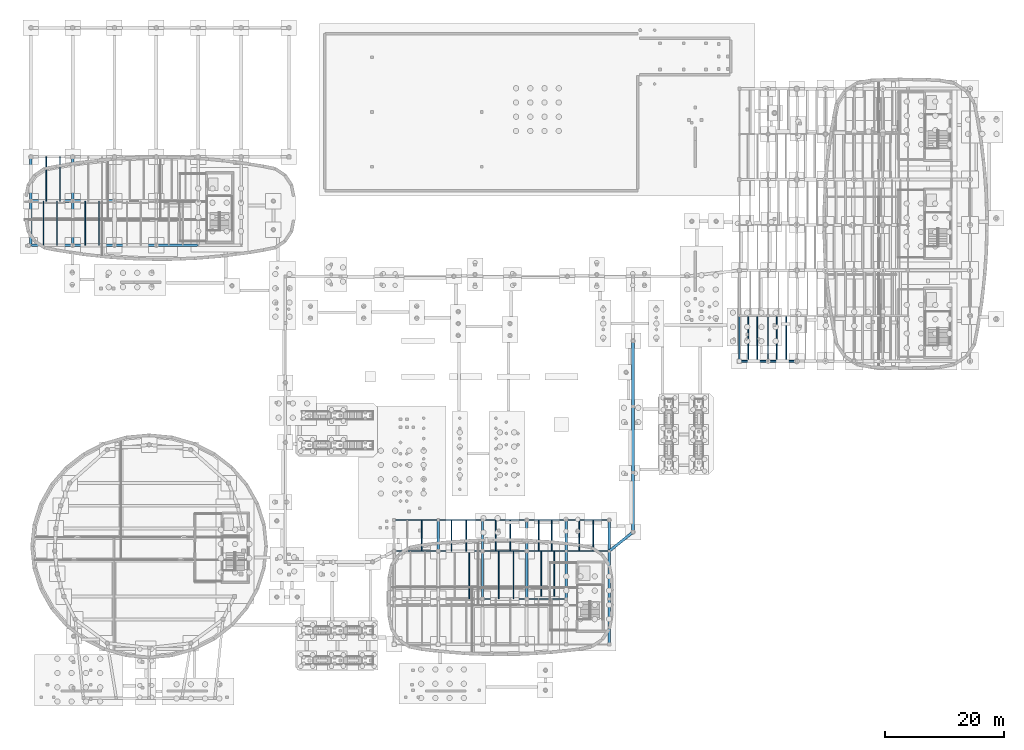
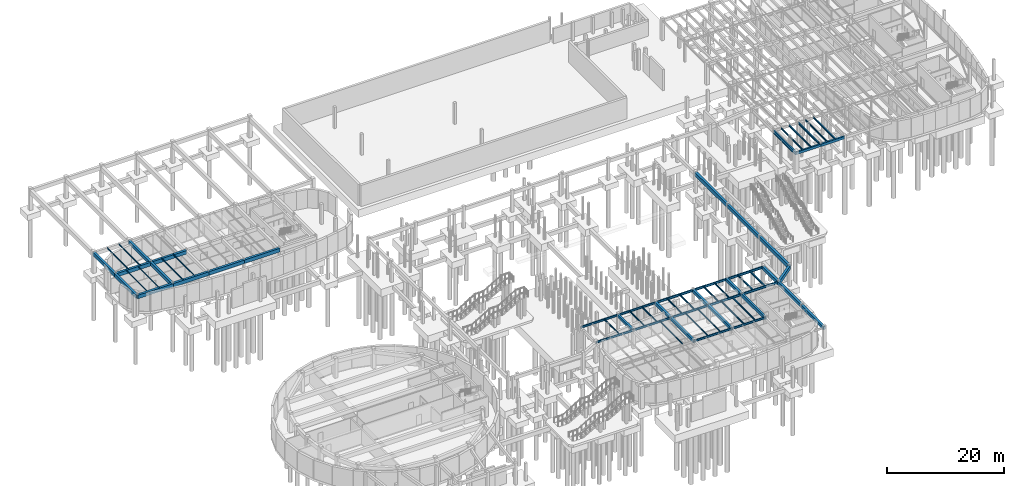
# One storey, part 27 of 45: 64 beams.
"""IFC4 building model written with IfcOpenShell, lengths in metres."""

from ifc_helpers import new_model, si_unit, direction, frame, origin, origin_2d, place, context, subcontext, project, spatial, rectangle, i_section, extrude, material, material_profile, profile_set, type_object, element, save


model = new_model("IFC4")

# Units and contexts
model_context = context("Model", 3, precision=1e-05, world=origin(), true_north=direction((0.0, 1.0)))
body_context = subcontext(model_context, "Body", "Model", "MODEL_VIEW")
ifc_project = project(units=[si_unit("LENGTHUNIT", "METRE"), si_unit("AREAUNIT", "SQUARE_METRE"), si_unit("VOLUMEUNIT", "CUBIC_METRE"), si_unit("PLANEANGLEUNIT", "RADIAN"), si_unit("MASSUNIT", "GRAM", prefix="KILO")], contexts=[model_context])

# Site, building, storey
site_placement = place(None, origin())
site = spatial("IfcSite", under=ifc_project, at=site_placement, CompositionType="ELEMENT")
building_placement = place(site_placement, origin())
building = spatial("IfcBuilding", under=site, at=building_placement, Name="Corveleigh Park Community Centre", CompositionType="ELEMENT")
storey_placement = place(building_placement, frame((0.0, 0.0, -4.199951171875)))
storey = spatial("IfcBuildingStorey", under=building, at=storey_placement, Name="B1", CompositionType="ELEMENT", Elevation=-4.199951171875)

# Beams
ifc_material_1 = material(Name="Concrete C40/50", Category="concrete")
ifc_material_profile_1 = material_profile(ifc_material_1, rectangle(XDim=0.300048828125, YDim=0.5, at=origin_2d()), Name="RC-300x500", Category="concrete")
ifc_profile_set_1 = profile_set([ifc_material_profile_1], Name="Concrete C40/50")
beam_type_1 = type_object("IfcBeamType", Name="BM-RC-300x500", PredefinedType="BEAM", material=ifc_profile_set_1)
beam_1_placement = place(storey_placement, frame((129.804931640625, 58.60009765625, 3.6318359375), z_axis=(1.0, 0.0, 0.0), x_axis=(0.0, 1.0, 0.0)))
element("IfcBeam", 1, at=beam_1_placement, inside=storey, type_object=beam_type_1, Name="V4 Girder X", PredefinedType="BEAM", context=body_context, shape_type="SweptSolid", body=[
    extrude(rectangle(XDim=0.300048828125, YDim=0.5, at=origin_2d()), origin(), (0.0, 0.0, 1.0), 4.7900390625),
])
ifc_material_profile_2 = material_profile(ifc_material_1, rectangle(XDim=0.324951171875, YDim=0.52490234375, at=origin_2d()), Name="RC-325x525", Category="concrete")
ifc_profile_set_2 = profile_set([ifc_material_profile_2], Name="Concrete C40/50")
beam_type_2 = type_object("IfcBeamType", Name="BM-RC-325x525", PredefinedType="BEAM", material=ifc_profile_set_2)
beam_2_placement = place(storey_placement, frame((134.60498046875, 58.60009765625, 3.619384765625), z_axis=(1.0, 0.0, 0.0), x_axis=(0.0, 1.0, 0.0)))
element("IfcBeam", 2, at=beam_2_placement, inside=storey, type_object=beam_type_2, Name="V4 Girder X", PredefinedType="BEAM", context=body_context, shape_type="SweptSolid", body=[
    extrude(rectangle(XDim=0.324951171875, YDim=0.52490234375, at=origin_2d()), origin(), (0.0, 0.0, 1.0), 4.7900390625),
])
ifc_material_profile_3 = material_profile(ifc_material_1, rectangle(XDim=0.375, YDim=0.574951171875, at=origin_2d()), Name="RC-375x575", Category="concrete")
ifc_profile_set_3 = profile_set([ifc_material_profile_3], Name="Concrete C40/50")
beam_type_3 = type_object("IfcBeamType", Name="BM-RC-375x575", PredefinedType="BEAM", material=ifc_profile_set_3)
beam_3_placement = place(storey_placement, frame((79.39990234375, 26.804931640625, 3.609375), z_axis=(0.0, 1.0, 0.0), x_axis=(-1.0, 0.0, 0.0)))
element("IfcBeam", 3, at=beam_3_placement, inside=storey, type_object=beam_type_3, Name="V3 Girder Y", PredefinedType="BEAM", context=body_context, shape_type="SweptSolid", body=[
    extrude(rectangle(XDim=0.375, YDim=0.574951171875, at=origin_2d()), origin(), (0.0, 0.0, 1.0), 5.190185546875),
])
beam_4_placement = place(storey_placement, frame((86.800048828125, 18.804931640625, 3.609375), z_axis=(0.0, 1.0, 0.0), x_axis=(-1.0, 0.0, 0.0)))
element("IfcBeam", 4, at=beam_4_placement, inside=storey, type_object=beam_type_3, Name="V3 Girder Y", PredefinedType="BEAM", context=body_context, shape_type="SweptSolid", body=[
    extrude(rectangle(XDim=0.375, YDim=0.574951171875, at=origin_2d()), origin(), (0.0, 0.0, 1.0), 7.989990234375),
])
ifc_material_profile_4 = material_profile(ifc_material_1, rectangle(XDim=0.39990234375, YDim=0.60009765625, at=origin_2d()), Name="RC-400x600", Category="concrete")
ifc_profile_set_4 = profile_set([ifc_material_profile_4], Name="Concrete C40/50")
beam_type_4 = type_object("IfcBeamType", Name="BM-RC-400x600", PredefinedType="BEAM", material=ifc_profile_set_4)
beam_5_placement = place(storey_placement, frame((86.800048828125, 26.804931640625, 3.596923828125), z_axis=(0.0, 1.0, 0.0), x_axis=(-1.0, 0.0, 0.0)))
element("IfcBeam", 5, at=beam_5_placement, inside=storey, type_object=beam_type_4, Name="V3 Girder Y", PredefinedType="BEAM", context=body_context, shape_type="SweptSolid", body=[
    extrude(rectangle(XDim=0.39990234375, YDim=0.60009765625, at=origin_2d()), origin(), (0.0, 0.0, 1.0), 5.190185546875),
])
beam_6_placement = place(storey_placement, frame((94.199951171875, 18.804931640625, 3.596923828125), z_axis=(0.0, 1.0, 0.0), x_axis=(-1.0, 0.0, 0.0)))
element("IfcBeam", 6, at=beam_6_placement, inside=storey, type_object=beam_type_4, Name="V3 Girder Y", PredefinedType="BEAM", context=body_context, shape_type="SweptSolid", body=[
    extrude(rectangle(XDim=0.39990234375, YDim=0.60009765625, at=origin_2d()), origin(), (0.0, 0.0, 1.0), 7.989990234375),
])
ifc_material_profile_5 = material_profile(ifc_material_1, rectangle(XDim=0.39990234375, YDim=0.64990234375, at=origin_2d()), Name="RC-400x650", Category="concrete")
ifc_profile_set_5 = profile_set([ifc_material_profile_5], Name="Concrete C40/50")
beam_type_5 = type_object("IfcBeamType", Name="BM-RC-400x650", PredefinedType="BEAM", material=ifc_profile_set_5)
beam_7_placement = place(storey_placement, frame((94.199951171875, 26.804931640625, 3.572021484375), z_axis=(0.0, 1.0, 0.0), x_axis=(-1.0, 0.0, 0.0)))
element("IfcBeam", 7, at=beam_7_placement, inside=storey, type_object=beam_type_5, Name="V3 Girder Y", PredefinedType="BEAM", context=body_context, shape_type="SweptSolid", body=[
    extrude(rectangle(XDim=0.39990234375, YDim=0.64990234375, at=origin_2d()), origin(), (0.0, 0.0, 1.0), 5.190185546875),
])
beam_8_placement = place(storey_placement, frame((100.800048828125, 18.804931640625, 3.572021484375), z_axis=(0.0, 1.0, 0.0), x_axis=(-1.0, 0.0, 0.0)))
element("IfcBeam", 8, at=beam_8_placement, inside=storey, type_object=beam_type_5, Name="V3 Girder Y", PredefinedType="BEAM", context=body_context, shape_type="SweptSolid", body=[
    extrude(rectangle(XDim=0.39990234375, YDim=0.64990234375, at=origin_2d()), origin(), (0.0, 0.0, 1.0), 7.989990234375),
])
beam_9_placement = place(storey_placement, frame((108.0, 11.205078125, 3.572021484375), z_axis=(0.0, 1.0, 0.0), x_axis=(-1.0, 0.0, 0.0)))
element("IfcBeam", 9, at=beam_9_placement, inside=storey, type_object=beam_type_5, Name="V3 Girder Y", PredefinedType="BEAM", context=body_context, shape_type="SweptSolid", body=[
    extrude(rectangle(XDim=0.39990234375, YDim=0.64990234375, at=origin_2d()), origin(), (0.0, 0.0, 1.0), 7.58984375),
])
ifc_material_profile_6 = material_profile(ifc_material_1, rectangle(XDim=0.425048828125, YDim=0.675048828125, at=origin_2d()), Name="RC-425x675", Category="concrete")
ifc_profile_set_6 = profile_set([ifc_material_profile_6], Name="Concrete C40/50")
beam_type_6 = type_object("IfcBeamType", Name="BM-RC-425x675", PredefinedType="BEAM", material=ifc_profile_set_6)
beam_10_placement = place(storey_placement, frame((100.800048828125, 26.804931640625, 3.5595703125), z_axis=(0.0, 1.0, 0.0), x_axis=(-1.0, 0.0, 0.0)))
element("IfcBeam", 10, at=beam_10_placement, inside=storey, type_object=beam_type_6, Name="V3 Girder Y", PredefinedType="BEAM", context=body_context, shape_type="SweptSolid", body=[
    extrude(rectangle(XDim=0.425048828125, YDim=0.675048828125, at=origin_2d()), origin(), (0.0, 0.0, 1.0), 5.190185546875),
])
beam_11_placement = place(storey_placement, frame((108.0, 18.804931640625, 3.5595703125), z_axis=(0.0, 1.0, 0.0), x_axis=(-1.0, 0.0, 0.0)))
element("IfcBeam", 11, at=beam_11_placement, inside=storey, type_object=beam_type_6, Name="V3 Girder Y", PredefinedType="BEAM", context=body_context, shape_type="SweptSolid", body=[
    extrude(rectangle(XDim=0.425048828125, YDim=0.675048828125, at=origin_2d()), origin(), (0.0, 0.0, 1.0), 7.989990234375),
])
ifc_material_profile_7 = material_profile(ifc_material_1, rectangle(XDim=0.449951171875, YDim=0.699951171875, at=origin_2d()), Name="RC-450x700", Category="concrete")
ifc_profile_set_7 = profile_set([ifc_material_profile_7], Name="Concrete C40/50")
beam_type_7 = type_object("IfcBeamType", Name="BM-RC-450x700", PredefinedType="BEAM", material=ifc_profile_set_7)
beam_12_placement = place(storey_placement, frame((11.199951171875, 78.0048828125, 3.531982421875), z_axis=(0.0, 1.0, 0.0), x_axis=(-1.0, 0.0, 0.0)))
element("IfcBeam", 12, at=beam_12_placement, inside=storey, type_object=beam_type_7, Name="V2 Studio Girder Y", PredefinedType="BEAM", context=body_context, shape_type="SweptSolid", body=[
    extrude(rectangle(XDim=0.449951171875, YDim=0.699951171875, at=origin_2d()), origin(), (0.0, 0.0, 1.0), 7.39013671875),
])
beam_13_placement = place(storey_placement, frame((11.199951171875, 85.405029296875, 3.531982421875), z_axis=(0.0, 1.0, 0.0), x_axis=(-1.0, 0.0, 0.0)))
element("IfcBeam", 13, at=beam_13_placement, inside=storey, type_object=beam_type_7, Name="V2 Studio Girder Y", PredefinedType="BEAM", context=body_context, shape_type="SweptSolid", body=[
    extrude(rectangle(XDim=0.449951171875, YDim=0.699951171875, at=origin_2d()), origin(), (0.0, 0.0, 1.0), 7.389892578125),
])
beam_14_placement = place(storey_placement, frame((18.199951171875, 78.0048828125, 3.531982421875), z_axis=(0.0, 1.0, 0.0), x_axis=(-1.0, 0.0, 0.0)))
element("IfcBeam", 14, at=beam_14_placement, inside=storey, type_object=beam_type_7, Name="V2 Studio Girder Y", PredefinedType="BEAM", context=body_context, shape_type="SweptSolid", body=[
    extrude(rectangle(XDim=0.449951171875, YDim=0.699951171875, at=origin_2d()), origin(), (0.0, 0.0, 1.0), 7.39013671875),
])
beam_15_placement = place(storey_placement, frame((18.199951171875, 85.405029296875, 3.531982421875), z_axis=(0.0, 1.0, 0.0), x_axis=(-1.0, 0.0, 0.0)))
element("IfcBeam", 15, at=beam_15_placement, inside=storey, type_object=beam_type_7, Name="V2 Studio Girder Y", PredefinedType="BEAM", context=body_context, shape_type="SweptSolid", body=[
    extrude(rectangle(XDim=0.449951171875, YDim=0.699951171875, at=origin_2d()), origin(), (0.0, 0.0, 1.0), 7.389892578125),
])
beam_16_placement = place(storey_placement, frame((108.0, 26.804931640625, 3.546875), z_axis=(0.0, 1.0, 0.0), x_axis=(-1.0, 0.0, 0.0)))
element("IfcBeam", 16, at=beam_16_placement, inside=storey, type_object=beam_type_7, Name="V3 Girder Y", PredefinedType="BEAM", context=body_context, shape_type="SweptSolid", body=[
    extrude(rectangle(XDim=0.449951171875, YDim=0.699951171875, at=origin_2d()), origin(), (0.0, 0.0, 1.0), 5.190185546875),
])
ifc_material_profile_8 = material_profile(ifc_material_1, rectangle(XDim=0.449951171875, YDim=0.75, at=origin_2d()), Name="RC-450x750", Category="concrete")
ifc_profile_set_8 = profile_set([ifc_material_profile_8], Name="Concrete C40/50")
beam_type_8 = type_object("IfcBeamType", Name="BM-RC-450x750", PredefinedType="BEAM", material=ifc_profile_set_8)
for number, where, z_axis, x_axis, name in (
    (17, (11.205078125, 78.0, 3.5068359375), (1.0, 0.0, 0.0), (0.0, 1.0, 0.0), "V2 Studio Girder X"),
    (18, (18.205078125, 78.0, 3.5068359375), (1.0, 0.0, 0.0), (0.0, 1.0, 0.0), "V2 Studio Girder X"),
    (19, (25.205078125, 78.0, 3.5068359375), (1.0, 0.0, 0.0), (0.0, 1.0, 0.0), "V2 Studio Girder X"),
    (20, (32.205078125, 78.0, 3.5068359375), (1.0, 0.0, 0.0), (0.0, 1.0, 0.0), "V2 Studio Girder X"),
    (21, (11.205078125, 85.39990234375, 3.5068359375), (1.0, 0.0, 0.0), (0.0, 1.0, 0.0), "V2 Studio Girder X"),
    (22, (18.205078125, 85.39990234375, 3.5068359375), (1.0, 0.0, 0.0), (0.0, 1.0, 0.0), "V2 Studio Girder X"),
):
    element("IfcBeam", number, at=place(storey_placement, frame(where, z_axis=z_axis, x_axis=x_axis)), inside=storey, type_object=beam_type_8, Name=name, PredefinedType="BEAM", context=body_context, shape_type="SweptSolid", body=[
        extrude(rectangle(XDim=0.449951171875, YDim=0.75, at=origin_2d()), origin(), (0.0, 0.0, 1.0), 6.989990234375),
    ])
for number, where, z_axis, x_axis, name in (
    (23, (112.0, 61.9951171875, 3.536865234375), (0.0, -1.0, 0.0), (1.0, 0.0, 0.0), "Campus Substructure Tie Girder"),
    (24, (112.0, 50.9951171875, 3.536865234375), (0.0, -1.0, 0.0), (1.0, 0.0, 0.0), "Campus Substructure Tie Girder"),
):
    element("IfcBeam", number, at=place(storey_placement, frame(where, z_axis=z_axis, x_axis=x_axis)), inside=storey, type_object=beam_type_8, Name=name, PredefinedType="BEAM", context=body_context, shape_type="SweptSolid", body=[
        extrude(rectangle(XDim=0.449951171875, YDim=0.75, at=origin_2d()), origin(), (0.0, 0.0, 1.0), 10.990234375),
    ])
beam_17_placement = place(storey_placement, frame((112.0, 39.9951171875, 3.536865234375), z_axis=(0.0, -1.0, 0.0), x_axis=(1.0, 0.0, 0.0)))
element("IfcBeam", 25, at=beam_17_placement, inside=storey, type_object=beam_type_8, Name="Campus Substructure Tie Girder", PredefinedType="BEAM", context=body_context, shape_type="SweptSolid", body=[
    extrude(rectangle(XDim=0.449951171875, YDim=0.75, at=origin_2d()), origin(), (0.0, 0.0, 1.0), 9.990234375),
])
beam_18_placement = place(storey_placement, frame((111.99609375, 29.996826171875, 3.52197265625), z_axis=(-0.780859491669, -0.624706694594, 0.0), x_axis=(0.624706694594, -0.780859491669, 0.0)))
element("IfcBeam", 26, at=beam_18_placement, inside=storey, type_object=beam_type_8, Name="Campus Substructure Tie Girder", PredefinedType="BEAM", context=body_context, shape_type="SweptSolid", body=[
    extrude(rectangle(XDim=0.449951171875, YDim=0.75, at=origin_2d()), origin(), (0.0, 0.0, 1.0), 5.112548828125),
])
ifc_material_2 = material(Name="Steel S355", Category="steel")
ifc_material_profile_9 = material_profile(ifc_material_2, i_section(OverallWidth=0.101318359375, OverallDepth=0.177734375, WebThickness=0.0048828125, FlangeThickness=0.0078125, at=origin_2d()), Name="UKB 178x102x19", Category="steel")
ifc_profile_set_9 = profile_set([ifc_material_profile_9], Name="Steel S355")
beam_type_9 = type_object("IfcBeamType", Name="BM-STL-UKB178x19", PredefinedType="JOIST", material=ifc_profile_set_9)
for number, where, z_axis, x_axis, name in (
    (27, (13.300048828125, 78.0048828125, 3.79296875), (0.0, 1.0, 0.0), (-1.0, 0.0, 0.0), "Secondary floor joist"),
    (28, (15.610107421875, 78.0048828125, 3.79296875), (0.0, 1.0, 0.0), (-1.0, 0.0, 0.0), "Secondary floor joist"),
):
    element("IfcBeam", number, at=place(storey_placement, frame(where, z_axis=z_axis, x_axis=x_axis)), inside=storey, type_object=beam_type_9, Name=name, PredefinedType="JOIST", context=body_context, shape_type="SweptSolid", body=[
        extrude(i_section(OverallWidth=0.101318359375, OverallDepth=0.177734375, WebThickness=0.0048828125, FlangeThickness=0.0078125, at=origin_2d()), origin(), (0.0, 0.0, 1.0), 7.39013671875),
    ])
ifc_material_profile_10 = material_profile(ifc_material_2, i_section(OverallWidth=0.13330078125, OverallDepth=0.203125, WebThickness=0.005615234375, FlangeThickness=0.0078125, at=origin_2d()), Name="UKB 203x133x25", Category="steel")
ifc_profile_set_10 = profile_set([ifc_material_profile_10], Name="Steel S355")
beam_type_10 = type_object("IfcBeamType", Name="BM-STL-UKB203x25", PredefinedType="JOIST", material=ifc_profile_set_10)
for number, where, z_axis, x_axis, name in (
    (29, (13.7900390625, 85.405029296875, 3.7802734375), (0.0, 1.0, 0.0), (-1.0, 0.0, 0.0), "Secondary floor joist"),
    (30, (16.10009765625, 85.405029296875, 3.7802734375), (0.0, 1.0, 0.0), (-1.0, 0.0, 0.0), "Secondary floor joist"),
):
    element("IfcBeam", number, at=place(storey_placement, frame(where, z_axis=z_axis, x_axis=x_axis)), inside=storey, type_object=beam_type_10, Name=name, PredefinedType="JOIST", context=body_context, shape_type="SweptSolid", body=[
        extrude(i_section(OverallWidth=0.13330078125, OverallDepth=0.203125, WebThickness=0.005615234375, FlangeThickness=0.0078125, at=origin_2d()), origin(), (0.0, 0.0, 1.0), 7.389892578125),
    ])
for number, where, z_axis, x_axis, name in (
    (31, (20.300048828125, 78.0048828125, 3.7802734375), (0.0, 1.0, 0.0), (-1.0, 0.0, 0.0), "Secondary floor joist"),
    (32, (22.610107421875, 78.0048828125, 3.7802734375), (0.0, 1.0, 0.0), (-1.0, 0.0, 0.0), "Secondary floor joist"),
):
    element("IfcBeam", number, at=place(storey_placement, frame(where, z_axis=z_axis, x_axis=x_axis)), inside=storey, type_object=beam_type_10, Name=name, PredefinedType="JOIST", context=body_context, shape_type="SweptSolid", body=[
        extrude(i_section(OverallWidth=0.13330078125, OverallDepth=0.203125, WebThickness=0.005615234375, FlangeThickness=0.0078125, at=origin_2d()), origin(), (0.0, 0.0, 1.0), 7.39013671875),
    ])
ifc_material_profile_11 = material_profile(ifc_material_2, i_section(OverallWidth=0.146484375, OverallDepth=0.256103515625, WebThickness=0.00634765625, FlangeThickness=0.010986328125, at=origin_2d()), Name="UKB 254x146x37", Category="steel")
ifc_profile_set_11 = profile_set([ifc_material_profile_11], Name="Steel S355")
beam_type_11 = type_object("IfcBeamType", Name="BM-STL-UKB254x37", PredefinedType="JOIST", material=ifc_profile_set_11)
beam_19_placement = place(storey_placement, frame((76.662109375, 26.804931640625, 3.76904296875), z_axis=(0.0, 1.0, 0.0), x_axis=(-1.0, 0.0, 0.0)))
element("IfcBeam", 33, at=beam_19_placement, inside=storey, type_object=beam_type_11, Name="Secondary floor joist", PredefinedType="JOIST", context=body_context, shape_type="SweptSolid", body=[
    extrude(i_section(OverallWidth=0.146484375, OverallDepth=0.256103515625, WebThickness=0.00634765625, FlangeThickness=0.010986328125, at=origin_2d()), origin(), (0.0, 0.0, 1.0), 5.190185546875),
])
beam_20_placement = place(storey_placement, frame((84.580078125, 18.804931640625, 3.76904296875), z_axis=(0.0, 1.0, 0.0), x_axis=(-1.0, 0.0, 0.0)))
element("IfcBeam", 34, at=beam_20_placement, inside=storey, type_object=beam_type_11, Name="Secondary floor joist", PredefinedType="JOIST", context=body_context, shape_type="SweptSolid", body=[
    extrude(i_section(OverallWidth=0.146484375, OverallDepth=0.256103515625, WebThickness=0.00634765625, FlangeThickness=0.010986328125, at=origin_2d()), origin(), (0.0, 0.0, 1.0), 7.989990234375),
])
ifc_material_profile_12 = material_profile(ifc_material_2, i_section(OverallWidth=0.147216796875, OverallDepth=0.259521484375, WebThickness=0.007080078125, FlangeThickness=0.0126953125, at=origin_2d()), Name="UKB 254x146x43", Category="steel")
ifc_profile_set_12 = profile_set([ifc_material_profile_12], Name="Steel S355")
beam_type_12 = type_object("IfcBeamType", Name="BM-STL-UKB254x43", PredefinedType="JOIST", material=ifc_profile_set_12)
for number, where, z_axis, x_axis, name in (
    (35, (81.6201171875, 26.804931640625, 3.76708984375), (0.0, 1.0, 0.0), (-1.0, 0.0, 0.0), "Secondary floor joist"),
    (36, (84.06201171875, 26.804931640625, 3.76708984375), (0.0, 1.0, 0.0), (-1.0, 0.0, 0.0), "Secondary floor joist"),
):
    element("IfcBeam", number, at=place(storey_placement, frame(where, z_axis=z_axis, x_axis=x_axis)), inside=storey, type_object=beam_type_12, Name=name, PredefinedType="JOIST", context=body_context, shape_type="SweptSolid", body=[
        extrude(i_section(OverallWidth=0.147216796875, OverallDepth=0.259521484375, WebThickness=0.007080078125, FlangeThickness=0.0126953125, at=origin_2d()), origin(), (0.0, 0.0, 1.0), 5.190185546875),
    ])
for number, where, z_axis, x_axis, name in (
    (37, (89.5380859375, 18.804931640625, 3.76708984375), (0.0, 1.0, 0.0), (-1.0, 0.0, 0.0), "Secondary floor joist"),
    (38, (91.97998046875, 18.804931640625, 3.76708984375), (0.0, 1.0, 0.0), (-1.0, 0.0, 0.0), "Secondary floor joist"),
):
    element("IfcBeam", number, at=place(storey_placement, frame(where, z_axis=z_axis, x_axis=x_axis)), inside=storey, type_object=beam_type_12, Name=name, PredefinedType="JOIST", context=body_context, shape_type="SweptSolid", body=[
        extrude(i_section(OverallWidth=0.147216796875, OverallDepth=0.259521484375, WebThickness=0.007080078125, FlangeThickness=0.0126953125, at=origin_2d()), origin(), (0.0, 0.0, 1.0), 7.989990234375),
    ])
ifc_material_profile_13 = material_profile(ifc_material_2, i_section(OverallWidth=0.1650390625, OverallDepth=0.303466796875, WebThickness=0.006103515625, FlangeThickness=0.01025390625, at=origin_2d()), Name="UKB 305x165x40", Category="steel")
ifc_profile_set_13 = profile_set([ifc_material_profile_13], Name="Steel S355")
beam_type_13 = type_object("IfcBeamType", Name="BM-STL-UKB305x40", PredefinedType="JOIST", material=ifc_profile_set_13)
for number, where, z_axis, x_axis, name in (
    (39, (89.02001953125, 26.804931640625, 3.745361328125), (0.0, 1.0, 0.0), (-1.0, 0.0, 0.0), "Secondary floor joist"),
    (40, (91.4619140625, 26.804931640625, 3.745361328125), (0.0, 1.0, 0.0), (-1.0, 0.0, 0.0), "Secondary floor joist"),
):
    element("IfcBeam", number, at=place(storey_placement, frame(where, z_axis=z_axis, x_axis=x_axis)), inside=storey, type_object=beam_type_13, Name=name, PredefinedType="JOIST", context=body_context, shape_type="SweptSolid", body=[
        extrude(i_section(OverallWidth=0.1650390625, OverallDepth=0.303466796875, WebThickness=0.006103515625, FlangeThickness=0.01025390625, at=origin_2d()), origin(), (0.0, 0.0, 1.0), 5.190185546875),
    ])
for number, where, z_axis, x_axis, name in (
    (41, (96.64208984375, 18.804931640625, 3.745361328125), (0.0, 1.0, 0.0), (-1.0, 0.0, 0.0), "Secondary floor joist"),
    (42, (98.820068359375, 18.804931640625, 3.745361328125), (0.0, 1.0, 0.0), (-1.0, 0.0, 0.0), "Secondary floor joist"),
):
    element("IfcBeam", number, at=place(storey_placement, frame(where, z_axis=z_axis, x_axis=x_axis)), inside=storey, type_object=beam_type_13, Name=name, PredefinedType="JOIST", context=body_context, shape_type="SweptSolid", body=[
        extrude(i_section(OverallWidth=0.1650390625, OverallDepth=0.303466796875, WebThickness=0.006103515625, FlangeThickness=0.01025390625, at=origin_2d()), origin(), (0.0, 0.0, 1.0), 7.989990234375),
    ])
ifc_material_profile_14 = material_profile(ifc_material_2, i_section(OverallWidth=0.165771484375, OverallDepth=0.306640625, WebThickness=0.006591796875, FlangeThickness=0.01171875, at=origin_2d()), Name="UKB 305x165x46", Category="steel")
ifc_profile_set_14 = profile_set([ifc_material_profile_14], Name="Steel S355")
beam_type_14 = type_object("IfcBeamType", Name="BM-STL-UKB305x46", PredefinedType="JOIST", material=ifc_profile_set_14)
for number, where, z_axis, x_axis, name in (
    (43, (131.239990234375, 58.60498046875, 3.728759765625), (0.0, 1.0, 0.0), (-1.0, 0.0, 0.0), "Secondary floor joist"),
    (44, (132.823974609375, 58.60498046875, 3.728759765625), (0.0, 1.0, 0.0), (-1.0, 0.0, 0.0), "Secondary floor joist"),
):
    element("IfcBeam", number, at=place(storey_placement, frame(where, z_axis=z_axis, x_axis=x_axis)), inside=storey, type_object=beam_type_14, Name=name, PredefinedType="JOIST", context=body_context, shape_type="SweptSolid", body=[
        extrude(i_section(OverallWidth=0.165771484375, OverallDepth=0.306640625, WebThickness=0.006591796875, FlangeThickness=0.01171875, at=origin_2d()), origin(), (0.0, 0.0, 1.0), 7.590087890625),
    ])
for number, where, z_axis, x_axis, name in (
    (45, (96.179931640625, 26.804931640625, 3.74365234375), (0.0, 1.0, 0.0), (-1.0, 0.0, 0.0), "Secondary floor joist"),
    (46, (98.35791015625, 26.804931640625, 3.74365234375), (0.0, 1.0, 0.0), (-1.0, 0.0, 0.0), "Secondary floor joist"),
):
    element("IfcBeam", number, at=place(storey_placement, frame(where, z_axis=z_axis, x_axis=x_axis)), inside=storey, type_object=beam_type_14, Name=name, PredefinedType="JOIST", context=body_context, shape_type="SweptSolid", body=[
        extrude(i_section(OverallWidth=0.165771484375, OverallDepth=0.306640625, WebThickness=0.006591796875, FlangeThickness=0.01171875, at=origin_2d()), origin(), (0.0, 0.0, 1.0), 5.190185546875),
    ])
ifc_material_profile_15 = material_profile(ifc_material_2, i_section(OverallWidth=0.1669921875, OverallDepth=0.310302734375, WebThickness=0.0078125, FlangeThickness=0.013671875, at=origin_2d()), Name="UKB 305x165x54", Category="steel")
ifc_profile_set_15 = profile_set([ifc_material_profile_15], Name="Steel S355")
beam_type_15 = type_object("IfcBeamType", Name="BM-STL-UKB305x54", PredefinedType="JOIST", material=ifc_profile_set_15)
for number, where, z_axis, x_axis, name in (
    (47, (136.0400390625, 58.60498046875, 3.726806640625), (0.0, 1.0, 0.0), (-1.0, 0.0, 0.0), "Secondary floor joist"),
    (48, (137.6240234375, 58.60498046875, 3.726806640625), (0.0, 1.0, 0.0), (-1.0, 0.0, 0.0), "Secondary floor joist"),
):
    element("IfcBeam", number, at=place(storey_placement, frame(where, z_axis=z_axis, x_axis=x_axis)), inside=storey, type_object=beam_type_15, Name=name, PredefinedType="JOIST", context=body_context, shape_type="SweptSolid", body=[
        extrude(i_section(OverallWidth=0.1669921875, OverallDepth=0.310302734375, WebThickness=0.0078125, FlangeThickness=0.013671875, at=origin_2d()), origin(), (0.0, 0.0, 1.0), 7.590087890625),
    ])
for number, where, z_axis, x_axis, name in (
    (49, (102.9599609375, 26.804931640625, 3.74169921875), (0.0, 1.0, 0.0), (-1.0, 0.0, 0.0), "Secondary floor joist"),
    (50, (105.3359375, 26.804931640625, 3.74169921875), (0.0, 1.0, 0.0), (-1.0, 0.0, 0.0), "Secondary floor joist"),
):
    element("IfcBeam", number, at=place(storey_placement, frame(where, z_axis=z_axis, x_axis=x_axis)), inside=storey, type_object=beam_type_15, Name=name, PredefinedType="JOIST", context=body_context, shape_type="SweptSolid", body=[
        extrude(i_section(OverallWidth=0.1669921875, OverallDepth=0.310302734375, WebThickness=0.0078125, FlangeThickness=0.013671875, at=origin_2d()), origin(), (0.0, 0.0, 1.0), 5.190185546875),
    ])
ifc_material_profile_16 = material_profile(ifc_material_2, i_section(OverallWidth=0.177978515625, OverallDepth=0.406494140625, WebThickness=0.0078125, FlangeThickness=0.0126953125, at=origin_2d()), Name="UKB 406x178x60", Category="steel")
ifc_profile_set_16 = profile_set([ifc_material_profile_16], Name="Steel S355")
beam_type_16 = type_object("IfcBeamType", Name="BM-STL-UKB406x60", PredefinedType="BEAM", material=ifc_profile_set_16)
beam_21_placement = place(storey_placement, frame((72.0048828125, 26.800048828125, 3.69384765625), z_axis=(1.0, 0.0, 0.0), x_axis=(0.0, 1.0, 0.0)))
element("IfcBeam", 51, at=beam_21_placement, inside=storey, type_object=beam_type_16, Name="V3 Girder X", PredefinedType="BEAM", context=body_context, shape_type="SweptSolid", body=[
    extrude(i_section(OverallWidth=0.177978515625, OverallDepth=0.406494140625, WebThickness=0.0078125, FlangeThickness=0.0126953125, at=origin_2d()), origin(), (0.0, 0.0, 1.0), 7.39013671875),
])
ifc_material_profile_17 = material_profile(ifc_material_2, i_section(OverallWidth=0.1787109375, OverallDepth=0.409423828125, WebThickness=0.0087890625, FlangeThickness=0.014404296875, at=origin_2d()), Name="UKB 406x178x67", Category="steel")
ifc_profile_set_17 = profile_set([ifc_material_profile_17], Name="Steel S355")
beam_type_17 = type_object("IfcBeamType", Name="BM-STL-UKB406x67", PredefinedType="BEAM", material=ifc_profile_set_17)
beam_22_placement = place(storey_placement, frame((86.804931640625, 18.800048828125, 3.692138671875), z_axis=(1.0, 0.0, 0.0), x_axis=(0.0, 1.0, 0.0)))
element("IfcBeam", 52, at=beam_22_placement, inside=storey, type_object=beam_type_17, Name="V3 Girder X", PredefinedType="BEAM", context=body_context, shape_type="SweptSolid", body=[
    extrude(i_section(OverallWidth=0.1787109375, OverallDepth=0.409423828125, WebThickness=0.0087890625, FlangeThickness=0.014404296875, at=origin_2d()), origin(), (0.0, 0.0, 1.0), 7.39013671875),
])
beam_23_placement = place(storey_placement, frame((79.405029296875, 26.800048828125, 3.692138671875), z_axis=(1.0, 0.0, 0.0), x_axis=(0.0, 1.0, 0.0)))
element("IfcBeam", 53, at=beam_23_placement, inside=storey, type_object=beam_type_17, Name="V3 Girder X", PredefinedType="BEAM", context=body_context, shape_type="SweptSolid", body=[
    extrude(i_section(OverallWidth=0.1787109375, OverallDepth=0.409423828125, WebThickness=0.0087890625, FlangeThickness=0.014404296875, at=origin_2d()), origin(), (0.0, 0.0, 1.0), 7.389892578125),
])
beam_24_placement = place(storey_placement, frame((72.0048828125, 32.0, 3.692138671875), z_axis=(1.0, 0.0, 0.0), x_axis=(0.0, 1.0, 0.0)))
element("IfcBeam", 54, at=beam_24_placement, inside=storey, type_object=beam_type_17, Name="V3 Girder X", PredefinedType="BEAM", context=body_context, shape_type="SweptSolid", body=[
    extrude(i_section(OverallWidth=0.1787109375, OverallDepth=0.409423828125, WebThickness=0.0087890625, FlangeThickness=0.014404296875, at=origin_2d()), origin(), (0.0, 0.0, 1.0), 7.39013671875),
])
ifc_material_profile_18 = material_profile(ifc_material_2, i_section(OverallWidth=0.179443359375, OverallDepth=0.412841796875, WebThickness=0.009521484375, FlangeThickness=0.01611328125, at=origin_2d()), Name="UKB 406x178x74", Category="steel")
ifc_profile_set_18 = profile_set([ifc_material_profile_18], Name="Steel S355")
beam_type_18 = type_object("IfcBeamType", Name="BM-STL-UKB406x74", PredefinedType="BEAM", material=ifc_profile_set_18)
beam_25_placement = place(storey_placement, frame((134.60009765625, 58.60498046875, 3.675537109375), z_axis=(0.0, 1.0, 0.0), x_axis=(-1.0, 0.0, 0.0)))
element("IfcBeam", 55, at=beam_25_placement, inside=storey, type_object=beam_type_18, Name="V4 Girder Y", PredefinedType="BEAM", context=body_context, shape_type="SweptSolid", body=[
    extrude(i_section(OverallWidth=0.179443359375, OverallDepth=0.412841796875, WebThickness=0.009521484375, FlangeThickness=0.01611328125, at=origin_2d()), origin(), (0.0, 0.0, 1.0), 7.590087890625),
])
beam_26_placement = place(storey_placement, frame((94.205078125, 18.800048828125, 3.6904296875), z_axis=(1.0, 0.0, 0.0), x_axis=(0.0, 1.0, 0.0)))
element("IfcBeam", 56, at=beam_26_placement, inside=storey, type_object=beam_type_18, Name="V3 Girder X", PredefinedType="BEAM", context=body_context, shape_type="SweptSolid", body=[
    extrude(i_section(OverallWidth=0.179443359375, OverallDepth=0.412841796875, WebThickness=0.009521484375, FlangeThickness=0.01611328125, at=origin_2d()), origin(), (0.0, 0.0, 1.0), 6.58984375),
])
beam_27_placement = place(storey_placement, frame((86.804931640625, 26.800048828125, 3.6904296875), z_axis=(1.0, 0.0, 0.0), x_axis=(0.0, 1.0, 0.0)))
element("IfcBeam", 57, at=beam_27_placement, inside=storey, type_object=beam_type_18, Name="V3 Girder X", PredefinedType="BEAM", context=body_context, shape_type="SweptSolid", body=[
    extrude(i_section(OverallWidth=0.179443359375, OverallDepth=0.412841796875, WebThickness=0.009521484375, FlangeThickness=0.01611328125, at=origin_2d()), origin(), (0.0, 0.0, 1.0), 7.39013671875),
])
beam_28_placement = place(storey_placement, frame((79.405029296875, 32.0, 3.6904296875), z_axis=(1.0, 0.0, 0.0), x_axis=(0.0, 1.0, 0.0)))
element("IfcBeam", 58, at=beam_28_placement, inside=storey, type_object=beam_type_18, Name="V3 Girder X", PredefinedType="BEAM", context=body_context, shape_type="SweptSolid", body=[
    extrude(i_section(OverallWidth=0.179443359375, OverallDepth=0.412841796875, WebThickness=0.009521484375, FlangeThickness=0.01611328125, at=origin_2d()), origin(), (0.0, 0.0, 1.0), 7.389892578125),
])
ifc_material_profile_19 = material_profile(ifc_material_2, i_section(OverallWidth=0.18994140625, OverallDepth=0.453369140625, WebThickness=0.008544921875, FlangeThickness=0.0126953125, at=origin_2d()), Name="UKB 457x191x67", Category="steel")
ifc_profile_set_19 = profile_set([ifc_material_profile_19], Name="Steel S355")
beam_type_19 = type_object("IfcBeamType", Name="BM-STL-UKB457x67", PredefinedType="BEAM", material=ifc_profile_set_19)
beam_29_placement = place(storey_placement, frame((94.205078125, 26.800048828125, 3.670166015625), z_axis=(1.0, 0.0, 0.0), x_axis=(0.0, 1.0, 0.0)))
element("IfcBeam", 59, at=beam_29_placement, inside=storey, type_object=beam_type_19, Name="V3 Girder X", PredefinedType="BEAM", context=body_context, shape_type="SweptSolid", body=[
    extrude(i_section(OverallWidth=0.18994140625, OverallDepth=0.453369140625, WebThickness=0.008544921875, FlangeThickness=0.0126953125, at=origin_2d()), origin(), (0.0, 0.0, 1.0), 6.58984375),
])
beam_30_placement = place(storey_placement, frame((86.804931640625, 32.0, 3.670166015625), z_axis=(1.0, 0.0, 0.0), x_axis=(0.0, 1.0, 0.0)))
element("IfcBeam", 60, at=beam_30_placement, inside=storey, type_object=beam_type_19, Name="V3 Girder X", PredefinedType="BEAM", context=body_context, shape_type="SweptSolid", body=[
    extrude(i_section(OverallWidth=0.18994140625, OverallDepth=0.453369140625, WebThickness=0.008544921875, FlangeThickness=0.0126953125, at=origin_2d()), origin(), (0.0, 0.0, 1.0), 7.39013671875),
])
ifc_material_profile_20 = material_profile(ifc_material_2, i_section(OverallWidth=0.1904296875, OverallDepth=0.45703125, WebThickness=0.009033203125, FlangeThickness=0.014404296875, at=origin_2d()), Name="UKB 457x191x74", Category="steel")
ifc_profile_set_20 = profile_set([ifc_material_profile_20], Name="Steel S355")
beam_type_20 = type_object("IfcBeamType", Name="BM-STL-UKB457x74", PredefinedType="BEAM", material=ifc_profile_set_20)
beam_31_placement = place(storey_placement, frame((100.804931640625, 26.800048828125, 3.66845703125), z_axis=(1.0, 0.0, 0.0), x_axis=(0.0, 1.0, 0.0)))
element("IfcBeam", 61, at=beam_31_placement, inside=storey, type_object=beam_type_20, Name="V3 Girder X", PredefinedType="BEAM", context=body_context, shape_type="SweptSolid", body=[
    extrude(i_section(OverallWidth=0.1904296875, OverallDepth=0.45703125, WebThickness=0.009033203125, FlangeThickness=0.014404296875, at=origin_2d()), origin(), (0.0, 0.0, 1.0), 7.190185546875),
])
beam_32_placement = place(storey_placement, frame((94.205078125, 32.0, 3.66845703125), z_axis=(1.0, 0.0, 0.0), x_axis=(0.0, 1.0, 0.0)))
element("IfcBeam", 62, at=beam_32_placement, inside=storey, type_object=beam_type_20, Name="V3 Girder X", PredefinedType="BEAM", context=body_context, shape_type="SweptSolid", body=[
    extrude(i_section(OverallWidth=0.1904296875, OverallDepth=0.45703125, WebThickness=0.009033203125, FlangeThickness=0.014404296875, at=origin_2d()), origin(), (0.0, 0.0, 1.0), 6.58984375),
])
ifc_material_profile_21 = material_profile(ifc_material_2, i_section(OverallWidth=0.19140625, OverallDepth=0.4599609375, WebThickness=0.010009765625, FlangeThickness=0.01611328125, at=origin_2d()), Name="UKB 457x191x82", Category="steel")
ifc_profile_set_21 = profile_set([ifc_material_profile_21], Name="Steel S355")
beam_type_21 = type_object("IfcBeamType", Name="BM-STL-UKB457x82", PredefinedType="BEAM", material=ifc_profile_set_21)
beam_33_placement = place(storey_placement, frame((100.804931640625, 32.0, 3.6669921875), z_axis=(1.0, 0.0, 0.0), x_axis=(0.0, 1.0, 0.0)))
element("IfcBeam", 63, at=beam_33_placement, inside=storey, type_object=beam_type_21, Name="V3 Girder X", PredefinedType="BEAM", context=body_context, shape_type="SweptSolid", body=[
    extrude(i_section(OverallWidth=0.19140625, OverallDepth=0.4599609375, WebThickness=0.010009765625, FlangeThickness=0.01611328125, at=origin_2d()), origin(), (0.0, 0.0, 1.0), 7.190185546875),
])
ifc_material_profile_22 = material_profile(ifc_material_2, i_section(OverallWidth=0.25439453125, OverallDepth=0.6875, WebThickness=0.01318359375, FlangeThickness=0.02099609375, at=origin_2d()), Name="UKB 686x254x152", Category="steel")
ifc_profile_set_22 = profile_set([ifc_material_profile_22], Name="Steel S355")
beam_type_22 = type_object("IfcBeamType", Name="BM-STL-UKB686x152", PredefinedType="BEAM", material=ifc_profile_set_22)
beam_34_placement = place(storey_placement, frame((129.800048828125, 58.60498046875, 3.5380859375), z_axis=(0.0, 1.0, 0.0), x_axis=(-1.0, 0.0, 0.0)))
element("IfcBeam", 64, at=beam_34_placement, inside=storey, type_object=beam_type_22, Name="V4 Girder Y", PredefinedType="BEAM", context=body_context, shape_type="SweptSolid", body=[
    extrude(i_section(OverallWidth=0.25439453125, OverallDepth=0.6875, WebThickness=0.01318359375, FlangeThickness=0.02099609375, at=origin_2d()), origin(), (0.0, 0.0, 1.0), 7.590087890625),
])

save(model, "model.ifc")
